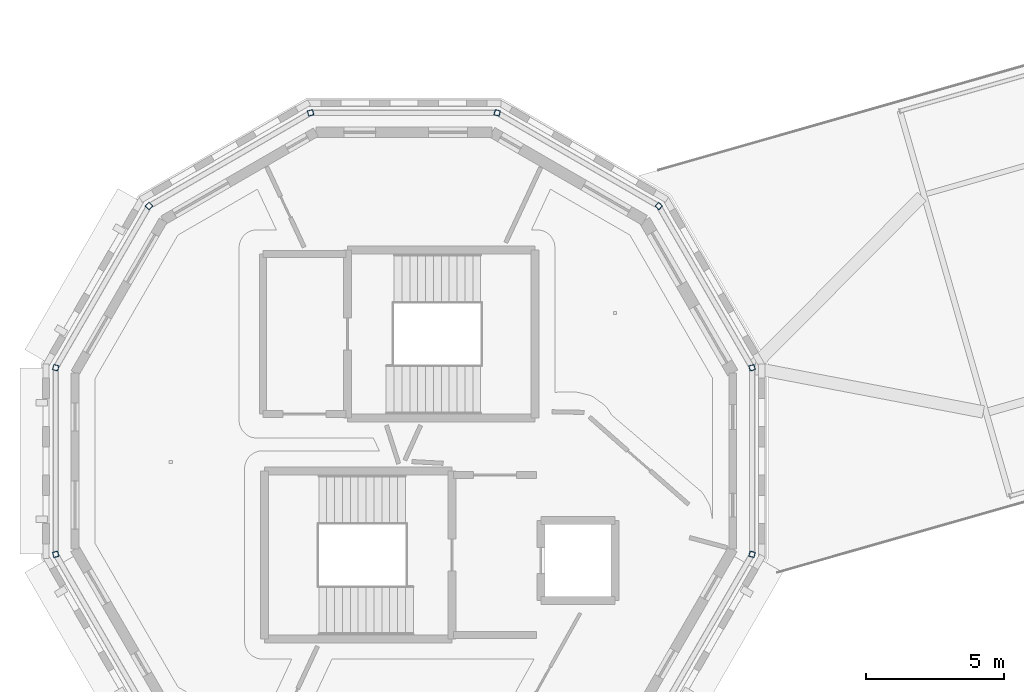
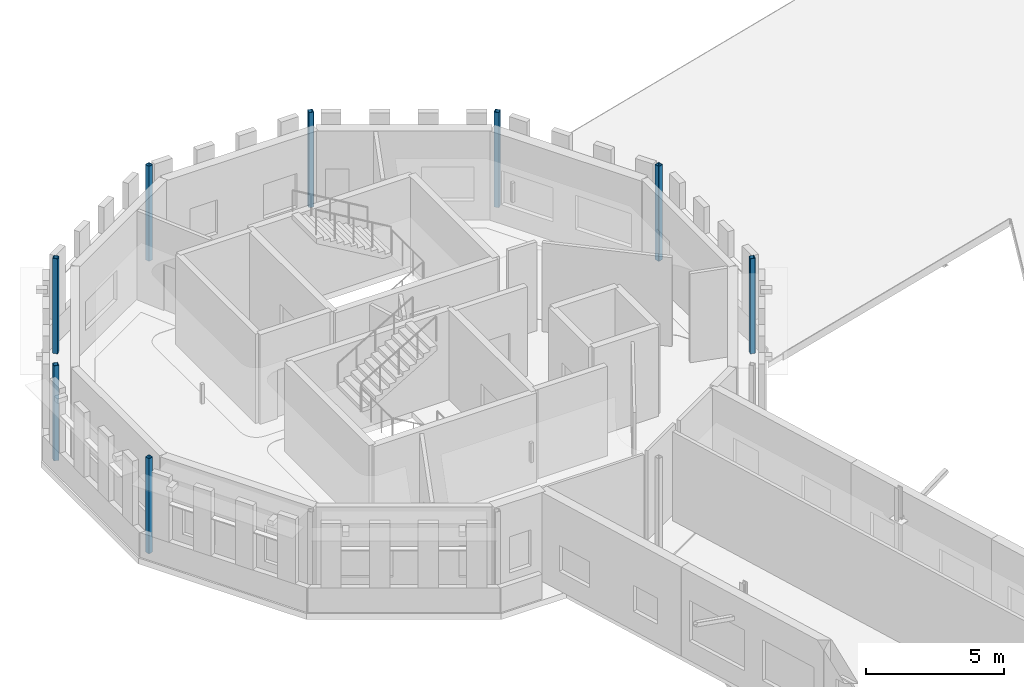
# One storey, part 6 of 90: 8 columns.
"""IFC4 building model written with IfcOpenShell, lengths in metres."""

from ifc_helpers import new_model, si_unit, direction, frame, origin, origin_2d, place, context, subcontext, project, spatial, hollow_rectangle, extrude, material, material_profile, profile_set, type_object, element, save


model = new_model("IFC4")

# Units and contexts
model_context = context("Model", 3, precision=1e-05, world=origin(), true_north=direction((0.0, 1.0)))
body_context = subcontext(model_context, "Body", "Model", "MODEL_VIEW")
ifc_project = project(units=[si_unit("LENGTHUNIT", "METRE"), si_unit("AREAUNIT", "SQUARE_METRE"), si_unit("VOLUMEUNIT", "CUBIC_METRE"), si_unit("PLANEANGLEUNIT", "RADIAN"), si_unit("MASSUNIT", "GRAM", prefix="KILO")], contexts=[model_context])

# Site, building, storey
site_placement = place(None, origin())
site = spatial("IfcSite", under=ifc_project, at=site_placement, CompositionType="ELEMENT")
building_placement = place(site_placement, origin())
building = spatial("IfcBuilding", under=site, at=building_placement, Name="Wrenclough Park School", CompositionType="ELEMENT")
storey_placement = place(building_placement, frame((0.0, 0.0, 8.39990234375)))
storey = spatial("IfcBuildingStorey", under=building, at=storey_placement, Name="L02", CompositionType="ELEMENT", Elevation=8.39990234375)

# Columns
ifc_material = material(Name="Structural steel S355", Category="steel")
ifc_material_profile = material_profile(ifc_material, hollow_rectangle(XDim=0.199951171875, YDim=0.199951171875, WallThickness=0.012451171875, InnerFilletRadius=0.012451171875, OuterFilletRadius=0.018798828125, at=origin_2d()), Name="SHS 200x200x12.5")
ifc_profile_set = profile_set([ifc_material_profile], Name="Structural steel S355")
column_type = type_object("IfcColumnType", Name="STR-COL-SHS200", PredefinedType="COLUMN", material=ifc_profile_set)
for number, where, z_axis, x_axis, name in (
    (1, (29.105224609375, 92.877685546875, 0.0), (0.0, 0.0, 1.0), (-0.258819045103, 0.965925826289, 0.0), "D3 L02 column D3-OUT-01"),
    (2, (25.727783203125, 98.727783203125, 0.0), (0.0, 0.0, 1.0), (-0.707106781187, 0.707106781187, 0.0), "D3 L02 column D3-OUT-02"),
    (3, (19.877685546875, 102.105224609375, 0.0), (0.0, 0.0, 1.0), (-0.965925826289, 0.258819045103, 0.0), "D3 L02 column D3-OUT-03"),
    (4, (13.122314453125, 102.105224609375, 0.0), (0.0, 0.0, 1.0), (-0.965925826289, -0.258819045103, 0.0), "D3 L02 column D3-OUT-04"),
    (5, (7.272216796875, 98.727783203125, 0.0), (0.0, 0.0, 1.0), (-0.707106781187, -0.707106781187, 0.0), "D3 L02 column D3-OUT-05"),
    (6, (3.894775390625, 92.877685546875, 0.0), (0.0, 0.0, 1.0), (-0.258819045103, -0.965925826289, 0.0), "D3 L02 column D3-OUT-06"),
    (7, (3.894775390625, 86.122314453125, 0.0), (0.0, 0.0, 1.0), (0.258819045103, -0.965925826289, 0.0), "D3 L02 column D3-OUT-07"),
    (8, (29.105224609375, 86.122314453125, 0.0), (0.0, 0.0, 1.0), (0.258819045103, 0.965925826289, 0.0), "D3 L02 column D3-OUT-12"),
):
    element("IfcColumn", number, at=place(storey_placement, frame(where, z_axis=z_axis, x_axis=x_axis)), inside=storey, type_object=column_type, Name=name, PredefinedType="COLUMN", context=body_context, shape_type="SweptSolid", body=[
        extrude(hollow_rectangle(XDim=0.199951171875, YDim=0.199951171875, WallThickness=0.012451171875, InnerFilletRadius=0.012451171875, OuterFilletRadius=0.018798828125, at=origin_2d()), origin(), (0.0, 0.0, 1.0), 4.2001953125),
    ])

save(model, "model.ifc")
